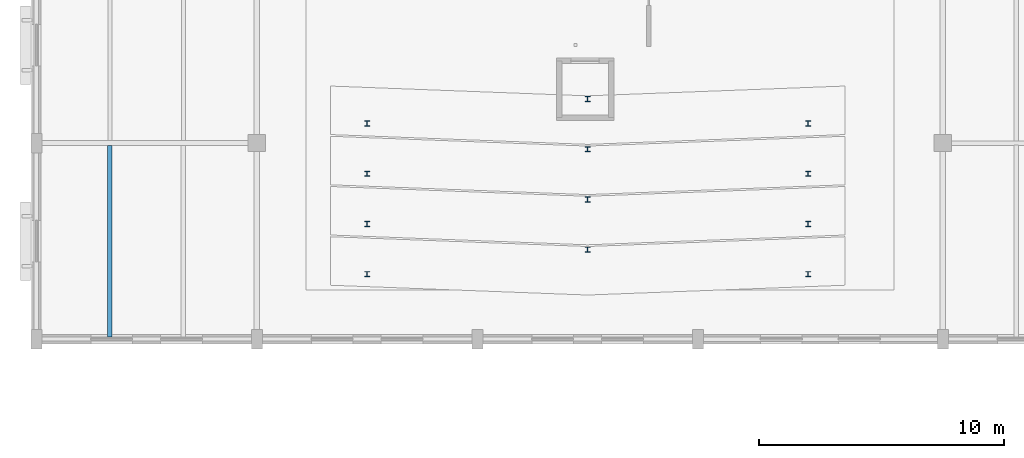
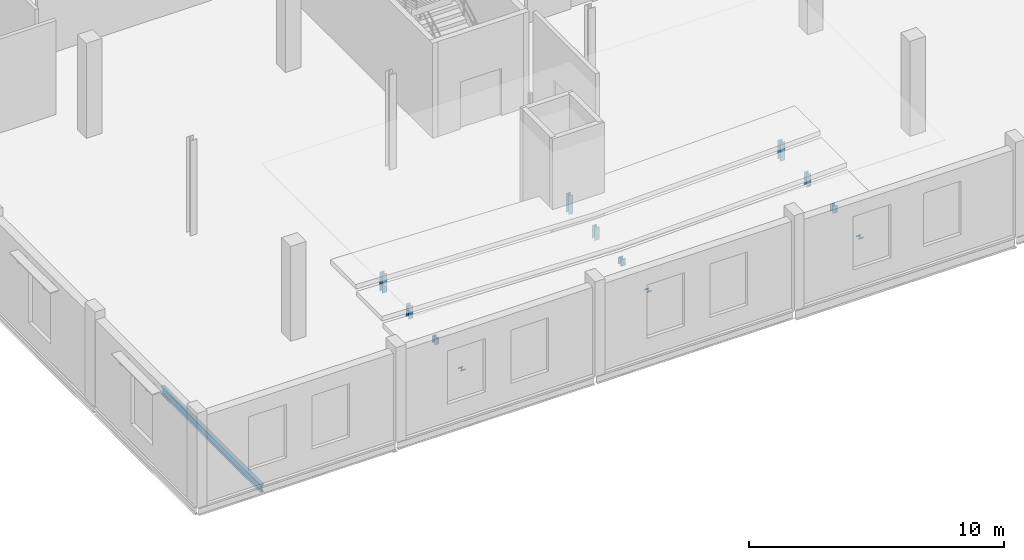
# One storey, part 21 of 93: 12 columns, 1 beam.
"""IFC4 building model written with IfcOpenShell, lengths in metres."""

from ifc_helpers import new_model, si_unit, direction, frame, origin, origin_2d, place, context, subcontext, project, spatial, i_section, extrude, material, material_profile, profile_set, type_object, element, save


model = new_model("IFC4")

# Units and contexts
model_context = context("Model", 3, precision=1e-05, world=origin(), true_north=direction((0.0, 1.0)))
body_context = subcontext(model_context, "Body", "Model", "MODEL_VIEW")
ifc_project = project(units=[si_unit("LENGTHUNIT", "METRE"), si_unit("AREAUNIT", "SQUARE_METRE"), si_unit("VOLUMEUNIT", "CUBIC_METRE"), si_unit("PLANEANGLEUNIT", "RADIAN"), si_unit("MASSUNIT", "GRAM", prefix="KILO")], contexts=[model_context])

# Site, building, storey
site_placement = place(None, origin())
site = spatial("IfcSite", under=ifc_project, at=site_placement, CompositionType="ELEMENT")
building_placement = place(site_placement, origin())
building = spatial("IfcBuilding", under=site, at=building_placement, Name="Marnock Terrace Opera House", CompositionType="ELEMENT")
storey_placement = place(building_placement, frame((0.0, 0.0, 5.39990234375)))
storey = spatial("IfcBuildingStorey", under=building, at=storey_placement, Name="L01", CompositionType="ELEMENT", Elevation=5.39990234375)

# Columns
ifc_material = material(Name="Steel Grade 350 (AS/NZS 3679.1)", Category="steel")
ifc_material_profile_1 = material_profile(ifc_material, i_section(OverallWidth=0.205078125, OverallDepth=0.209716796875, WebThickness=0.00927734375, FlangeThickness=0.01416015625, FilletRadius=0.011474609375, at=origin_2d()))
ifc_profile_set_1 = profile_set([ifc_material_profile_1], Name="Steel Grade 350 (AS/NZS 3679.1)")
column_type = type_object("IfcColumnType", Name="COL-UC200", PredefinedType="COLUMN", material=ifc_profile_set_1)
for number, where, z_axis, x_axis, name in (
    (1, (13.5, 10.64990234375, 0.0), (0.0, 0.0, 1.0), (1.0, 0.0, 0.0), "L01 Chamber tier 1 support post W"),
    (2, (31.5, 10.64990234375, 0.0), (0.0, 0.0, 1.0), (1.0, 0.0, 0.0), "L01 Chamber tier 1 support post E"),
    (3, (22.5, 11.64990234375, 0.0), (0.0, 0.0, 1.0), (1.0, 0.0, 0.0), "L01 Chamber tier 1 support post M"),
):
    element("IfcColumn", number, at=place(storey_placement, frame(where, z_axis=z_axis, x_axis=x_axis)), inside=storey, type_object=column_type, Name=name, PredefinedType="COLUMN", context=body_context, shape_type="SweptSolid", body=[
        extrude(i_section(OverallWidth=0.205078125, OverallDepth=0.209716796875, WebThickness=0.00927734375, FlangeThickness=0.01416015625, FilletRadius=0.011474609375, at=origin_2d()), origin(), (0.0, 0.0, 1.0), 0.06005859375),
    ])
for number, where, z_axis, x_axis, name in (
    (4, (13.5, 12.699951171875, 0.0), (0.0, 0.0, 1.0), (1.0, 0.0, 0.0), "L01 Chamber tier 2 support post W"),
    (5, (31.5, 12.699951171875, 0.0), (0.0, 0.0, 1.0), (1.0, 0.0, 0.0), "L01 Chamber tier 2 support post E"),
    (6, (22.5, 13.699951171875, 0.0), (0.0, 0.0, 1.0), (1.0, 0.0, 0.0), "L01 Chamber tier 2 support post M"),
):
    element("IfcColumn", number, at=place(storey_placement, frame(where, z_axis=z_axis, x_axis=x_axis)), inside=storey, type_object=column_type, Name=name, PredefinedType="COLUMN", context=body_context, shape_type="SweptSolid", body=[
        extrude(i_section(OverallWidth=0.205078125, OverallDepth=0.209716796875, WebThickness=0.00927734375, FlangeThickness=0.01416015625, FilletRadius=0.011474609375, at=origin_2d()), origin(), (0.0, 0.0, 1.0), 0.340087890625),
    ])
for number, where, z_axis, x_axis, name in (
    (7, (13.5, 14.75, 0.0), (0.0, 0.0, 1.0), (1.0, 0.0, 0.0), "L01 Chamber tier 3 support post W"),
    (8, (31.5, 14.75, 0.0), (0.0, 0.0, 1.0), (1.0, 0.0, 0.0), "L01 Chamber tier 3 support post E"),
    (9, (22.5, 15.75, 0.0), (0.0, 0.0, 1.0), (1.0, 0.0, 0.0), "L01 Chamber tier 3 support post M"),
):
    element("IfcColumn", number, at=place(storey_placement, frame(where, z_axis=z_axis, x_axis=x_axis)), inside=storey, type_object=column_type, Name=name, PredefinedType="COLUMN", context=body_context, shape_type="SweptSolid", body=[
        extrude(i_section(OverallWidth=0.205078125, OverallDepth=0.209716796875, WebThickness=0.00927734375, FlangeThickness=0.01416015625, FilletRadius=0.011474609375, at=origin_2d()), origin(), (0.0, 0.0, 1.0), 0.6201171875),
    ])
for number, where, z_axis, x_axis, name in (
    (10, (13.5, 16.800048828125, 0.0), (0.0, 0.0, 1.0), (1.0, 0.0, 0.0), "L01 Chamber tier 4 support post W"),
    (11, (31.5, 16.800048828125, 0.0), (0.0, 0.0, 1.0), (1.0, 0.0, 0.0), "L01 Chamber tier 4 support post E"),
    (12, (22.5, 17.800048828125, 0.0), (0.0, 0.0, 1.0), (1.0, 0.0, 0.0), "L01 Chamber tier 4 support post M"),
):
    element("IfcColumn", number, at=place(storey_placement, frame(where, z_axis=z_axis, x_axis=x_axis)), inside=storey, type_object=column_type, Name=name, PredefinedType="COLUMN", context=body_context, shape_type="SweptSolid", body=[
        extrude(i_section(OverallWidth=0.205078125, OverallDepth=0.209716796875, WebThickness=0.00927734375, FlangeThickness=0.01416015625, FilletRadius=0.011474609375, at=origin_2d()), origin(), (0.0, 0.0, 1.0), 0.900146484375),
    ])

# Beam
ifc_material_profile_2 = material_profile(ifc_material, i_section(OverallWidth=0.172119140625, OverallDepth=0.358642578125, WebThickness=0.008056640625, FlangeThickness=0.012939453125, FilletRadius=0.011474609375, at=origin_2d()))
ifc_profile_set_2 = profile_set([ifc_material_profile_2], Name="Steel Grade 350 (AS/NZS 3679.1)")
beam_type = type_object("IfcBeamType", Name="BM-JOIST-360", PredefinedType="JOIST", material=ifc_profile_set_2)
beam_placement = place(storey_placement, frame((3.0, 8.0810546875, -0.459228515625), z_axis=(0.0, 1.0, 0.0), x_axis=(-1.0, 0.0, 0.0)))
element("IfcBeam", 13, at=beam_placement, inside=storey, type_object=beam_type, Name="L01 secondary joist 0.1.1", PredefinedType="JOIST", context=body_context, shape_type="SweptSolid", body=[
    extrude(i_section(OverallWidth=0.172119140625, OverallDepth=0.358642578125, WebThickness=0.008056640625, FlangeThickness=0.012939453125, FilletRadius=0.011474609375, at=origin_2d()), origin(), (0.0, 0.0, 1.0), 7.8193359375),
])

save(model, "model.ifc")
